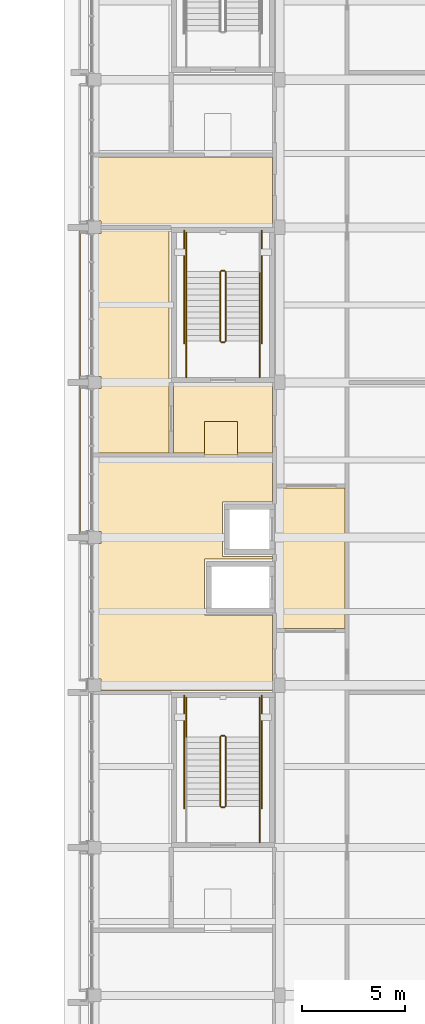
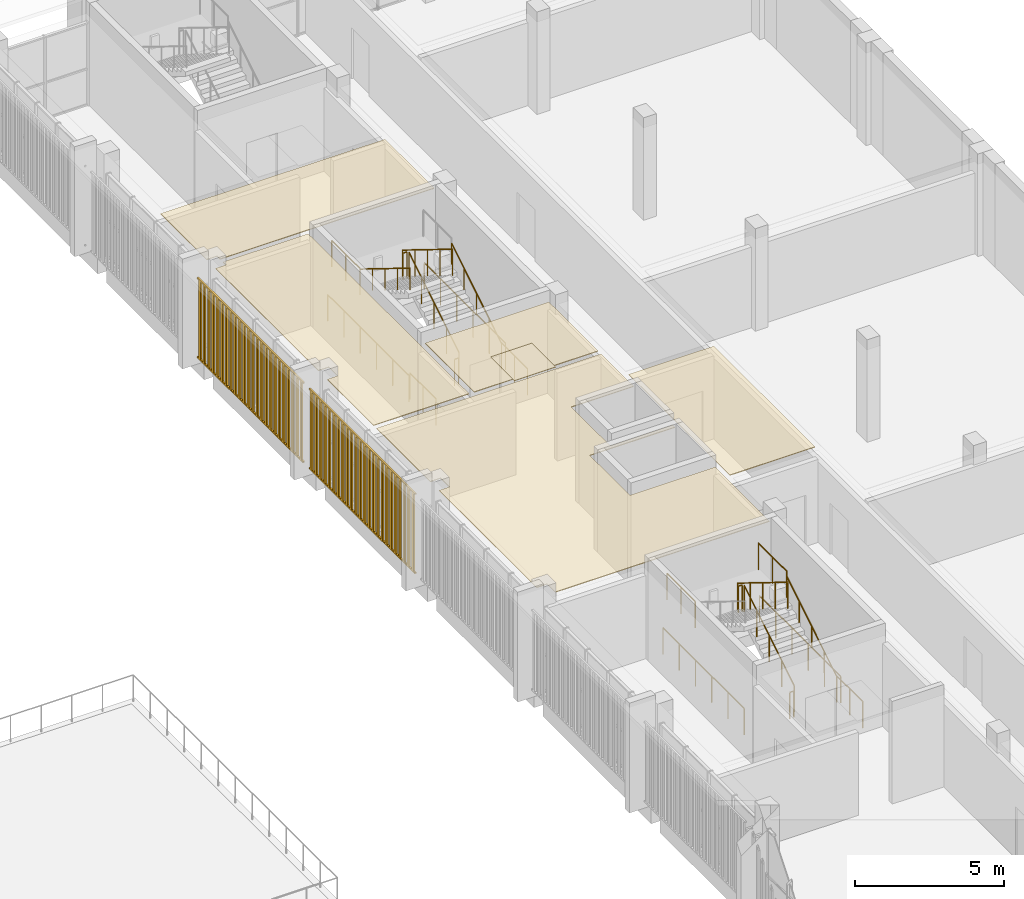
# One storey, part 93 of 98: 21 railings, 6 coverings, 2 shading devices.
"""IFC4 building model written with IfcOpenShell, lengths in metres."""

from ifc_helpers import new_model, si_unit, direction, frame, origin, origin_2d, place, context, subcontext, project, spatial, polyline, rectangle, circle, outline, extrude, material, layer, layer_set, type_object, element, save


model = new_model("IFC4")

# Units and contexts
model_context = context("Model", 3, precision=1e-05, world=origin(), true_north=direction((0.0, 1.0)))
body_context = subcontext(model_context, "Body", "Model", "MODEL_VIEW")
ifc_project = project(units=[si_unit("LENGTHUNIT", "METRE"), si_unit("AREAUNIT", "SQUARE_METRE"), si_unit("VOLUMEUNIT", "CUBIC_METRE"), si_unit("PLANEANGLEUNIT", "RADIAN"), si_unit("MASSUNIT", "GRAM", prefix="KILO")], contexts=[model_context])

# Site, building, storey
site_placement = place(None, origin())
site = spatial("IfcSite", under=ifc_project, at=site_placement, CompositionType="ELEMENT")
building_placement = place(site_placement, origin())
building = spatial("IfcBuilding", under=site, at=building_placement, Name="Sun Court Science Centre", CompositionType="ELEMENT")
storey_placement = place(building_placement, frame((0.0, 0.0, 15.75)))
storey = spatial("IfcBuildingStorey", under=building, at=storey_placement, Name="L03", CompositionType="ELEMENT", Elevation=15.75)

# Coverings
ifc_material_1 = material(Name="Gypsum board")
ifc_layer_1 = layer(ifc_material_1, 0.030029296875)
ifc_layer_set_1 = layer_set([ifc_layer_1], Name="Gypsum board")
covering_type = type_object("IfcCoveringType", Name="Ceiling suspended 600 module", PredefinedType="CEILING", material=ifc_layer_set_1)
covering_1_placement = place(storey_placement, frame((0.0, 0.0, 3.77001953125)))
element("IfcCovering", 1, at=covering_1_placement, inside=storey, type_object=covering_type, Name="L03-012 ceiling", PredefinedType="CEILING", context=body_context, shape_type="SweptSolid", body=[
    extrude(outline(polyline([(87.10009765625, 53.39990234375), (90.39990234375, 53.39990234375), (90.39990234375, 46.60009765625), (87.10009765625, 46.60009765625), (87.10009765625, 50.08740234375), (87.1025390625, 50.08740234375), (87.1025390625, 52.71240234375), (87.10009765625, 52.71240234375), (87.10009765625, 53.39990234375)])), origin(), (0.0, 0.0, 1.0), 0.030029296875),
])
covering_2_placement = place(storey_placement, frame((0.0, 0.0, 3.77001953125)))
element("IfcCovering", 2, at=covering_2_placement, inside=storey, type_object=covering_type, Name="L03-014 ceiling", PredefinedType="CEILING", context=body_context, shape_type="SweptSolid", body=[
    extrude(outline(polyline([(85.199951171875, 56.60009765625), (83.60009765625, 56.60009765625), (83.60009765625, 55.10009765625), (82.10009765625, 55.10009765625), (82.10009765625, 58.39990234375), (86.89990234375, 58.39990234375), (86.89990234375, 55.10009765625), (85.199951171875, 55.10009765625), (85.199951171875, 56.60009765625)])), origin(), (0.0, 0.0, 1.0), 0.030029296875),
])
covering_3_placement = place(storey_placement, frame((0.0, 0.0, 3.77001953125)))
element("IfcCovering", 3, at=covering_3_placement, inside=storey, type_object=covering_type, Name="L03-019 ceiling", PredefinedType="CEILING", context=body_context, shape_type="SweptSolid", body=[
    extrude(outline(polyline([(78.199951171875, 54.89990234375), (86.89990234375, 54.89990234375), (86.89990234375, 52.71240234375), (84.4775390625, 52.71240234375), (84.4775390625, 50.08740234375), (86.89990234375, 50.08740234375), (86.89990234375, 49.949951171875), (83.60009765625, 49.949951171875), (83.60009765625, 47.25), (86.89990234375, 47.25), (86.89990234375, 43.60009765625), (78.60009765625, 43.60009765625), (78.60009765625, 44.14990234375), (78.199951171875, 44.14990234375), (78.199951171875, 50.699951171875), (78.60009765625, 50.699951171875), (78.60009765625, 51.300048828125), (78.199951171875, 51.300048828125), (78.199951171875, 54.89990234375)])), origin(), (0.0, 0.0, 1.0), 0.030029296875),
])
covering_4_placement = place(storey_placement, frame((0.0, 0.0, 3.77001953125)))
element("IfcCovering", 4, at=covering_4_placement, inside=storey, type_object=covering_type, Name="L03-020 ceiling", PredefinedType="CEILING", context=body_context, shape_type="SweptSolid", body=[
    extrude(outline(polyline([(78.60009765625, 65.89990234375), (81.89990234375, 65.89990234375), (81.89990234375, 55.10009765625), (78.199951171875, 55.10009765625), (78.199951171875, 58.199951171875), (78.60009765625, 58.199951171875), (78.60009765625, 58.800048828125), (78.199951171875, 58.800048828125), (78.199951171875, 65.699951171875), (78.60009765625, 65.699951171875), (78.60009765625, 65.89990234375)])), origin(), (0.0, 0.0, 1.0), 0.030029296875),
])
covering_5_placement = place(storey_placement, frame((0.0, 0.0, 3.77001953125)))
element("IfcCovering", 5, at=covering_5_placement, inside=storey, type_object=covering_type, Name="L03-021 ceiling", PredefinedType="CEILING", context=body_context, shape_type="SweptSolid", body=[
    extrude(outline(polyline([(78.199951171875, 69.39990234375), (86.89990234375, 69.39990234375), (86.89990234375, 66.10009765625), (78.60009765625, 66.10009765625), (78.60009765625, 66.300048828125), (78.199951171875, 66.300048828125), (78.199951171875, 69.39990234375)])), origin(), (0.0, 0.0, 1.0), 0.030029296875),
])
covering_6_placement = place(storey_placement, frame((0.0, 0.0, 3.77001953125)))
element("IfcCovering", 6, at=covering_6_placement, inside=storey, type_object=covering_type, Name="L03-030 ceiling", PredefinedType="CEILING", context=body_context, shape_type="SweptSolid", body=[
    extrude(outline(polyline([(85.199951171875, 56.60009765625), (85.199951171875, 55.0), (83.60009765625, 55.0), (83.60009765625, 56.60009765625), (85.199951171875, 56.60009765625)])), origin(), (0.0, 0.0, 1.0), 0.030029296875),
])

# Railings
ifc_material_2 = material(Name="Steel S275", Category="steel")
railing_type_1 = type_object("IfcRailingType", Name="Guard 1100 steel balustrade", PredefinedType="GUARDRAIL", material=ifc_material_2)
railing_1_placement = place(storey_placement, frame((84.625, 37.998046875, 0.173095703125)))
element("IfcRailing", 7, at=railing_1_placement, inside=storey, type_object=railing_type_1, Name="L03 SL2 stair guard 1", PredefinedType="GUARDRAIL", context=body_context, shape_type="SweptSolid", body=[
    extrude(circle(Radius=0.02392578125, at=origin_2d()), frame((0.0, 0.0, 1.076171875), z_axis=(0.0, 0.850606129759, 0.525803396734), x_axis=(-1.0, 0.0, 0.0)), (0.0, 0.0, 1.0), 3.949951171875),
    extrude(circle(Radius=0.02099609375, at=origin_2d()), origin(), (0.0, 0.0, 1.0), 1.052001953125),
    extrude(circle(Radius=0.02099609375, at=origin_2d()), frame((0.0, 0.83984375, 0.519287109375)), (0.0, 0.0, 1.0), 1.052001953125),
    extrude(circle(Radius=0.02099609375, at=origin_2d()), frame((0.0, 1.679931640625, 1.03857421875)), (0.0, 0.0, 1.0), 1.052001953125),
    extrude(circle(Radius=0.02099609375, at=origin_2d()), frame((0.0, 2.52001953125, 1.5576171875)), (0.0, 0.0, 1.0), 1.052001953125),
    extrude(circle(Radius=0.02099609375, at=origin_2d()), frame((0.0, 3.35986328125, 2.076904296875)), (0.0, 0.0, 1.0), 1.052001953125),
])
railing_2_placement = place(storey_placement, frame((84.574951171875, 41.407958984375, 2.25)))
element("IfcRailing", 8, at=railing_2_placement, inside=storey, type_object=railing_type_1, Name="L03 SL2 stair guard 2", PredefinedType="GUARDRAIL", context=body_context, shape_type="SweptSolid", body=[
    extrude(circle(Radius=0.02392578125, at=origin_2d()), frame((0.0, 0.0, 1.076171875), z_axis=(-1.0, 0.0, 0.0), x_axis=(0.0, -1.0, 0.0)), (0.0, 0.0, 1.0), 0.14990234375),
    extrude(circle(Radius=0.02099609375, at=origin_2d()), origin(), (0.0, 0.0, 1.0), 1.052001953125),
    extrude(circle(Radius=0.02099609375, at=origin_2d()), frame((-0.14990234375, 0.0, 0.0)), (0.0, 0.0, 1.0), 1.052001953125),
])
for number, where, name in (
    (9, (86.27294921875, 41.35791015625, 2.25), "L03 SL2 stair guard 3"),
    (10, (82.72705078125, 41.35791015625, 2.25), "L03 SL2 stair guard 4"),
):
    element("IfcRailing", number, at=place(storey_placement, frame(where)), inside=storey, type_object=railing_type_1, Name=name, PredefinedType="GUARDRAIL", context=body_context, shape_type="SweptSolid", body=[
        extrude(circle(Radius=0.02392578125, at=origin_2d()), frame((0.0, 0.0, 1.076171875), z_axis=(0.0, 1.0, 0.0), x_axis=(-1.0, 0.0, 0.0)), (0.0, 0.0, 1.0), 1.89208984375),
        extrude(circle(Radius=0.02099609375, at=origin_2d()), origin(), (0.0, 0.0, 1.0), 1.052001953125),
        extrude(circle(Radius=0.02099609375, at=origin_2d()), frame((0.0, 0.946044921875, 0.0)), (0.0, 0.0, 1.0), 1.052001953125),
        extrude(circle(Radius=0.02099609375, at=origin_2d()), frame((0.0, 1.89208984375, 0.0)), (0.0, 0.0, 1.0), 1.052001953125),
    ])
railing_3_placement = place(storey_placement, frame((84.375, 41.35791015625, 2.423095703125)))
element("IfcRailing", 11, at=railing_3_placement, inside=storey, type_object=railing_type_1, Name="L03 SL2 stair guard 5", PredefinedType="GUARDRAIL", context=body_context, shape_type="SweptSolid", body=[
    extrude(circle(Radius=0.02392578125, at=origin_2d()), frame((0.0, 0.0, 1.076171875), z_axis=(0.0, -0.850606129759, 0.525803396734), x_axis=(1.0, 0.0, 0.0)), (0.0, 0.0, 1.0), 3.949951171875),
    extrude(circle(Radius=0.02099609375, at=origin_2d()), origin(), (0.0, 0.0, 1.0), 1.052001953125),
    extrude(circle(Radius=0.02099609375, at=origin_2d()), frame((0.0, -0.83984375, 0.519287109375)), (0.0, 0.0, 1.0), 1.052001953125),
    extrude(circle(Radius=0.02099609375, at=origin_2d()), frame((0.0, -1.679931640625, 1.03857421875)), (0.0, 0.0, 1.0), 1.052001953125),
    extrude(circle(Radius=0.02099609375, at=origin_2d()), frame((0.0, -2.52001953125, 1.5576171875)), (0.0, 0.0, 1.0), 1.052001953125),
    extrude(circle(Radius=0.02099609375, at=origin_2d()), frame((0.0, -3.35986328125, 2.076904296875)), (0.0, 0.0, 1.0), 1.052001953125),
])
railing_4_placement = place(storey_placement, frame((84.574951171875, 37.947998046875, 0.0)))
element("IfcRailing", 12, at=railing_4_placement, inside=storey, type_object=railing_type_1, Name="L03 SL2 stair guard 6", PredefinedType="GUARDRAIL", context=body_context, shape_type="SweptSolid", body=[
    extrude(circle(Radius=0.02392578125, at=origin_2d()), frame((0.0, 0.0, 1.076171875), z_axis=(-1.0, 0.0, 0.0), x_axis=(0.0, -1.0, 0.0)), (0.0, 0.0, 1.0), 0.14990234375),
    extrude(circle(Radius=0.02099609375, at=origin_2d()), origin(), (0.0, 0.0, 1.0), 1.052001953125),
    extrude(circle(Radius=0.02099609375, at=origin_2d()), frame((-0.14990234375, 0.0, 0.0)), (0.0, 0.0, 1.0), 1.052001953125),
])
railing_5_placement = place(storey_placement, frame((86.27294921875, 36.25, 0.0)))
element("IfcRailing", 13, at=railing_5_placement, inside=storey, type_object=railing_type_1, Name="L03 SL2 stair guard 7", PredefinedType="GUARDRAIL", context=body_context, shape_type="SweptSolid", body=[
    extrude(circle(Radius=0.02392578125, at=origin_2d()), frame((0.0, 0.0, 1.076171875), z_axis=(0.0, 1.0, 0.0), x_axis=(-1.0, 0.0, 0.0)), (0.0, 0.0, 1.0), 1.748046875),
    extrude(circle(Radius=0.02099609375, at=origin_2d()), origin(), (0.0, 0.0, 1.0), 1.052001953125),
    extrude(circle(Radius=0.02099609375, at=origin_2d()), frame((0.0, 0.8740234375, 0.0)), (0.0, 0.0, 1.0), 1.052001953125),
    extrude(circle(Radius=0.02099609375, at=origin_2d()), frame((0.0, 1.748046875, 0.0)), (0.0, 0.0, 1.0), 1.052001953125),
])
for number, where, name in (
    (14, (86.373046875, 37.89794921875, 0.0), "L03 SL2 stair guard 9"),
    (15, (82.626953125, 37.89794921875, 0.0), "L03 SL2 stair guard 10"),
):
    element("IfcRailing", number, at=place(storey_placement, frame(where)), inside=storey, type_object=railing_type_1, Name=name, PredefinedType="GUARDRAIL", context=body_context, shape_type="SweptSolid", body=[
        extrude(circle(Radius=0.02392578125, at=origin_2d()), frame((0.0, 0.0, 1.076171875), z_axis=(0.0, 1.0, 0.0), x_axis=(-1.0, 0.0, 0.0)), (0.0, 0.0, 1.0), 5.4521484375),
        extrude(circle(Radius=0.02099609375, at=origin_2d()), origin(), (0.0, 0.0, 1.0), 1.052001953125),
        extrude(circle(Radius=0.02099609375, at=origin_2d()), frame((0.0, 1.09033203125, 0.0)), (0.0, 0.0, 1.0), 1.052001953125),
        extrude(circle(Radius=0.02099609375, at=origin_2d()), frame((0.0, 2.180908203125, 0.0)), (0.0, 0.0, 1.0), 1.052001953125),
        extrude(circle(Radius=0.02099609375, at=origin_2d()), frame((0.0, 3.271240234375, 0.0)), (0.0, 0.0, 1.0), 1.052001953125),
        extrude(circle(Radius=0.02099609375, at=origin_2d()), frame((0.0, 4.36181640625, 0.0)), (0.0, 0.0, 1.0), 1.052001953125),
        extrude(circle(Radius=0.02099609375, at=origin_2d()), frame((0.0, 5.4521484375, 0.0)), (0.0, 0.0, 1.0), 1.052001953125),
    ])
railing_6_placement = place(storey_placement, frame((84.625, 60.498046875, 0.173095703125)))
element("IfcRailing", 16, at=railing_6_placement, inside=storey, type_object=railing_type_1, Name="L03 SL3 stair guard 1", PredefinedType="GUARDRAIL", context=body_context, shape_type="SweptSolid", body=[
    extrude(circle(Radius=0.02392578125, at=origin_2d()), frame((0.0, 0.0, 1.076171875), z_axis=(0.0, 0.850606129759, 0.525803396734), x_axis=(-1.0, 0.0, 0.0)), (0.0, 0.0, 1.0), 3.949951171875),
    extrude(circle(Radius=0.02099609375, at=origin_2d()), origin(), (0.0, 0.0, 1.0), 1.052001953125),
    extrude(circle(Radius=0.02099609375, at=origin_2d()), frame((0.0, 0.83984375, 0.519287109375)), (0.0, 0.0, 1.0), 1.052001953125),
    extrude(circle(Radius=0.02099609375, at=origin_2d()), frame((0.0, 1.679931640625, 1.03857421875)), (0.0, 0.0, 1.0), 1.052001953125),
    extrude(circle(Radius=0.02099609375, at=origin_2d()), frame((0.0, 2.52001953125, 1.5576171875)), (0.0, 0.0, 1.0), 1.052001953125),
    extrude(circle(Radius=0.02099609375, at=origin_2d()), frame((0.0, 3.35986328125, 2.076904296875)), (0.0, 0.0, 1.0), 1.052001953125),
])
railing_7_placement = place(storey_placement, frame((84.574951171875, 63.907958984375, 2.25)))
element("IfcRailing", 17, at=railing_7_placement, inside=storey, type_object=railing_type_1, Name="L03 SL3 stair guard 2", PredefinedType="GUARDRAIL", context=body_context, shape_type="SweptSolid", body=[
    extrude(circle(Radius=0.02392578125, at=origin_2d()), frame((0.0, 0.0, 1.076171875), z_axis=(-1.0, 0.0, 0.0), x_axis=(0.0, -1.0, 0.0)), (0.0, 0.0, 1.0), 0.14990234375),
    extrude(circle(Radius=0.02099609375, at=origin_2d()), origin(), (0.0, 0.0, 1.0), 1.052001953125),
    extrude(circle(Radius=0.02099609375, at=origin_2d()), frame((-0.14990234375, 0.0, 0.0)), (0.0, 0.0, 1.0), 1.052001953125),
])
railing_8_placement = place(storey_placement, frame((82.72705078125, 63.85791015625, 2.25)))
element("IfcRailing", 18, at=railing_8_placement, inside=storey, type_object=railing_type_1, Name="L03 SL3 stair guard 4", PredefinedType="GUARDRAIL", context=body_context, shape_type="SweptSolid", body=[
    extrude(circle(Radius=0.02392578125, at=origin_2d()), frame((0.0, 0.0, 1.076171875), z_axis=(0.0, 1.0, 0.0), x_axis=(-1.0, 0.0, 0.0)), (0.0, 0.0, 1.0), 1.89208984375),
    extrude(circle(Radius=0.02099609375, at=origin_2d()), origin(), (0.0, 0.0, 1.0), 1.052001953125),
    extrude(circle(Radius=0.02099609375, at=origin_2d()), frame((0.0, 0.946044921875, 0.0)), (0.0, 0.0, 1.0), 1.052001953125),
    extrude(circle(Radius=0.02099609375, at=origin_2d()), frame((0.0, 1.89208984375, 0.0)), (0.0, 0.0, 1.0), 1.052001953125),
])
railing_9_placement = place(storey_placement, frame((84.375, 63.85791015625, 2.423095703125)))
element("IfcRailing", 19, at=railing_9_placement, inside=storey, type_object=railing_type_1, Name="L03 SL3 stair guard 5", PredefinedType="GUARDRAIL", context=body_context, shape_type="SweptSolid", body=[
    extrude(circle(Radius=0.02392578125, at=origin_2d()), frame((0.0, 0.0, 1.076171875), z_axis=(0.0, -0.850606129759, 0.525803396734), x_axis=(1.0, 0.0, 0.0)), (0.0, 0.0, 1.0), 3.949951171875),
    extrude(circle(Radius=0.02099609375, at=origin_2d()), origin(), (0.0, 0.0, 1.0), 1.052001953125),
    extrude(circle(Radius=0.02099609375, at=origin_2d()), frame((0.0, -0.83984375, 0.519287109375)), (0.0, 0.0, 1.0), 1.052001953125),
    extrude(circle(Radius=0.02099609375, at=origin_2d()), frame((0.0, -1.679931640625, 1.03857421875)), (0.0, 0.0, 1.0), 1.052001953125),
    extrude(circle(Radius=0.02099609375, at=origin_2d()), frame((0.0, -2.52001953125, 1.5576171875)), (0.0, 0.0, 1.0), 1.052001953125),
    extrude(circle(Radius=0.02099609375, at=origin_2d()), frame((0.0, -3.35986328125, 2.076904296875)), (0.0, 0.0, 1.0), 1.052001953125),
])
railing_10_placement = place(storey_placement, frame((84.574951171875, 60.447998046875, 0.0)))
element("IfcRailing", 20, at=railing_10_placement, inside=storey, type_object=railing_type_1, Name="L03 SL3 stair guard 6", PredefinedType="GUARDRAIL", context=body_context, shape_type="SweptSolid", body=[
    extrude(circle(Radius=0.02392578125, at=origin_2d()), frame((0.0, 0.0, 1.076171875), z_axis=(-1.0, 0.0, 0.0), x_axis=(0.0, -1.0, 0.0)), (0.0, 0.0, 1.0), 0.14990234375),
    extrude(circle(Radius=0.02099609375, at=origin_2d()), origin(), (0.0, 0.0, 1.0), 1.052001953125),
    extrude(circle(Radius=0.02099609375, at=origin_2d()), frame((-0.14990234375, 0.0, 0.0)), (0.0, 0.0, 1.0), 1.052001953125),
])
for number, where, name in (
    (21, (86.27294921875, 58.75, 0.0), "L03 SL3 stair guard 7"),
    (22, (82.72705078125, 58.75, 0.0), "L03 SL3 stair guard 8"),
):
    element("IfcRailing", number, at=place(storey_placement, frame(where)), inside=storey, type_object=railing_type_1, Name=name, PredefinedType="GUARDRAIL", context=body_context, shape_type="SweptSolid", body=[
        extrude(circle(Radius=0.02392578125, at=origin_2d()), frame((0.0, 0.0, 1.076171875), z_axis=(0.0, 1.0, 0.0), x_axis=(-1.0, 0.0, 0.0)), (0.0, 0.0, 1.0), 1.748046875),
        extrude(circle(Radius=0.02099609375, at=origin_2d()), origin(), (0.0, 0.0, 1.0), 1.052001953125),
        extrude(circle(Radius=0.02099609375, at=origin_2d()), frame((0.0, 0.8740234375, 0.0)), (0.0, 0.0, 1.0), 1.052001953125),
        extrude(circle(Radius=0.02099609375, at=origin_2d()), frame((0.0, 1.748046875, 0.0)), (0.0, 0.0, 1.0), 1.052001953125),
    ])
for number, where, name in (
    (23, (86.373046875, 60.39794921875, 0.0), "L03 SL3 stair guard 9"),
    (24, (82.626953125, 60.39794921875, 0.0), "L03 SL3 stair guard 10"),
):
    element("IfcRailing", number, at=place(storey_placement, frame(where)), inside=storey, type_object=railing_type_1, Name=name, PredefinedType="GUARDRAIL", context=body_context, shape_type="SweptSolid", body=[
        extrude(circle(Radius=0.02392578125, at=origin_2d()), frame((0.0, 0.0, 1.076171875), z_axis=(0.0, 1.0, 0.0), x_axis=(-1.0, 0.0, 0.0)), (0.0, 0.0, 1.0), 5.4521484375),
        extrude(circle(Radius=0.02099609375, at=origin_2d()), origin(), (0.0, 0.0, 1.0), 1.052001953125),
        extrude(circle(Radius=0.02099609375, at=origin_2d()), frame((0.0, 1.09033203125, 0.0)), (0.0, 0.0, 1.0), 1.052001953125),
        extrude(circle(Radius=0.02099609375, at=origin_2d()), frame((0.0, 2.180908203125, 0.0)), (0.0, 0.0, 1.0), 1.052001953125),
        extrude(circle(Radius=0.02099609375, at=origin_2d()), frame((0.0, 3.271240234375, 0.0)), (0.0, 0.0, 1.0), 1.052001953125),
        extrude(circle(Radius=0.02099609375, at=origin_2d()), frame((0.0, 4.36181640625, 0.0)), (0.0, 0.0, 1.0), 1.052001953125),
        extrude(circle(Radius=0.02099609375, at=origin_2d()), frame((0.0, 5.4521484375, 0.0)), (0.0, 0.0, 1.0), 1.052001953125),
    ])
ifc_material_3 = material(Name="Stainless steel", Category="steel")
railing_type_2 = type_object("IfcRailingType", Name="Handrail 900 stainless", PredefinedType="HANDRAIL", material=ifc_material_3)
for number, where, name in (
    (25, (86.27294921875, 37.998046875, 0.173095703125), "L03 SL2 stair handrail 1"),
    (26, (86.27294921875, 60.498046875, 0.173095703125), "L03 SL3 stair handrail 1"),
):
    element("IfcRailing", number, at=place(storey_placement, frame(where)), inside=storey, type_object=railing_type_2, Name=name, PredefinedType="HANDRAIL", context=body_context, shape_type="SweptSolid", body=[
        extrude(circle(Radius=0.02392578125, at=origin_2d()), frame((0.0, 0.0, 0.8759765625), z_axis=(0.0, 0.850606129759, 0.525803396734), x_axis=(-1.0, 0.0, 0.0)), (0.0, 0.0, 1.0), 3.949951171875),
        extrude(circle(Radius=0.02099609375, at=origin_2d()), origin(), (0.0, 0.0, 1.0), 0.851806640625),
        extrude(circle(Radius=0.02099609375, at=origin_2d()), frame((0.0, 0.83984375, 0.519287109375)), (0.0, 0.0, 1.0), 0.851806640625),
        extrude(circle(Radius=0.02099609375, at=origin_2d()), frame((0.0, 1.679931640625, 1.03857421875)), (0.0, 0.0, 1.0), 0.851806640625),
        extrude(circle(Radius=0.02099609375, at=origin_2d()), frame((0.0, 2.52001953125, 1.5576171875)), (0.0, 0.0, 1.0), 0.851806640625),
        extrude(circle(Radius=0.02099609375, at=origin_2d()), frame((0.0, 3.35986328125, 2.076904296875)), (0.0, 0.0, 1.0), 0.851806640625),
    ])
railing_11_placement = place(storey_placement, frame((82.72705078125, 63.85791015625, 2.423095703125)))
element("IfcRailing", 27, at=railing_11_placement, inside=storey, type_object=railing_type_2, Name="L03 SL3 stair handrail 2", PredefinedType="HANDRAIL", context=body_context, shape_type="SweptSolid", body=[
    extrude(circle(Radius=0.02392578125, at=origin_2d()), frame((0.0, 0.0, 0.8759765625), z_axis=(0.0, -0.850606129759, 0.525803396734), x_axis=(1.0, 0.0, 0.0)), (0.0, 0.0, 1.0), 3.949951171875),
    extrude(circle(Radius=0.02099609375, at=origin_2d()), origin(), (0.0, 0.0, 1.0), 0.851806640625),
    extrude(circle(Radius=0.02099609375, at=origin_2d()), frame((0.0, -0.83984375, 0.519287109375)), (0.0, 0.0, 1.0), 0.851806640625),
    extrude(circle(Radius=0.02099609375, at=origin_2d()), frame((0.0, -1.679931640625, 1.03857421875)), (0.0, 0.0, 1.0), 0.851806640625),
    extrude(circle(Radius=0.02099609375, at=origin_2d()), frame((0.0, -2.52001953125, 1.5576171875)), (0.0, 0.0, 1.0), 0.851806640625),
    extrude(circle(Radius=0.02099609375, at=origin_2d()), frame((0.0, -3.35986328125, 2.076904296875)), (0.0, 0.0, 1.0), 0.851806640625),
])

# Shading devices
ifc_material_4 = material(Name="Red sandstone", Category="masonry")
ifc_layer_2 = layer(ifc_material_4, 0.06005859375)
ifc_layer_set_2 = layer_set([ifc_layer_2], Name="Red sandstone")
shading_device_type = type_object("IfcShadingDeviceType", Name="Jali screen, sandstone", PredefinedType="USERDEFINED", material=ifc_layer_set_2)
shading_device_1_placement = place(storey_placement, frame((0.0, 0.0, -15.75)))
element("IfcShadingDevice", 28, at=shading_device_1_placement, inside=storey, type_object=shading_device_type, Name="Jali screen west face L03 06", ObjectType="JALI SCREEN", PredefinedType="USERDEFINED", context=body_context, shape_type="SweptSolid", body=[
    extrude(rectangle(XDim=0.1201171875, YDim=0.06005859375, at=origin_2d()), frame((77.570068359375, 51.347900390625, 16.08984375), z_axis=(0.0, 0.0, 1.0), x_axis=(0.0, 1.0, 0.0)), (0.0, 0.0, 1.0), 3.219970703125),
    extrude(rectangle(XDim=0.1201171875, YDim=0.06005859375, at=origin_2d()), frame((77.570068359375, 51.643798828125, 16.08984375), z_axis=(0.0, 0.0, 1.0), x_axis=(0.0, 1.0, 0.0)), (0.0, 0.0, 1.0), 3.219970703125),
    extrude(rectangle(XDim=0.1201171875, YDim=0.06005859375, at=origin_2d()), frame((77.570068359375, 51.939697265625, 16.08984375), z_axis=(0.0, 0.0, 1.0), x_axis=(0.0, 1.0, 0.0)), (0.0, 0.0, 1.0), 3.219970703125),
    extrude(rectangle(XDim=0.1201171875, YDim=0.06005859375, at=origin_2d()), frame((77.570068359375, 52.2353515625, 16.08984375), z_axis=(0.0, 0.0, 1.0), x_axis=(0.0, 1.0, 0.0)), (0.0, 0.0, 1.0), 3.219970703125),
    extrude(rectangle(XDim=0.1201171875, YDim=0.06005859375, at=origin_2d()), frame((77.570068359375, 52.53125, 16.08984375), z_axis=(0.0, 0.0, 1.0), x_axis=(0.0, 1.0, 0.0)), (0.0, 0.0, 1.0), 3.219970703125),
    extrude(rectangle(XDim=0.1201171875, YDim=0.06005859375, at=origin_2d()), frame((77.570068359375, 52.8271484375, 16.08984375), z_axis=(0.0, 0.0, 1.0), x_axis=(0.0, 1.0, 0.0)), (0.0, 0.0, 1.0), 3.219970703125),
    extrude(rectangle(XDim=0.1201171875, YDim=0.06005859375, at=origin_2d()), frame((77.570068359375, 53.122802734375, 16.08984375), z_axis=(0.0, 0.0, 1.0), x_axis=(0.0, 1.0, 0.0)), (0.0, 0.0, 1.0), 3.219970703125),
    extrude(rectangle(XDim=0.1201171875, YDim=0.06005859375, at=origin_2d()), frame((77.570068359375, 53.418701171875, 16.08984375), z_axis=(0.0, 0.0, 1.0), x_axis=(0.0, 1.0, 0.0)), (0.0, 0.0, 1.0), 3.219970703125),
    extrude(rectangle(XDim=0.1201171875, YDim=0.06005859375, at=origin_2d()), frame((77.570068359375, 53.714599609375, 16.08984375), z_axis=(0.0, 0.0, 1.0), x_axis=(0.0, 1.0, 0.0)), (0.0, 0.0, 1.0), 3.219970703125),
    extrude(rectangle(XDim=0.1201171875, YDim=0.06005859375, at=origin_2d()), frame((77.570068359375, 54.010498046875, 16.08984375), z_axis=(0.0, 0.0, 1.0), x_axis=(0.0, 1.0, 0.0)), (0.0, 0.0, 1.0), 3.219970703125),
    extrude(rectangle(XDim=0.1201171875, YDim=0.06005859375, at=origin_2d()), frame((77.570068359375, 54.30615234375, 16.08984375), z_axis=(0.0, 0.0, 1.0), x_axis=(0.0, 1.0, 0.0)), (0.0, 0.0, 1.0), 3.219970703125),
    extrude(rectangle(XDim=0.1201171875, YDim=0.06005859375, at=origin_2d()), frame((77.570068359375, 54.60205078125, 16.08984375), z_axis=(0.0, 0.0, 1.0), x_axis=(0.0, 1.0, 0.0)), (0.0, 0.0, 1.0), 3.219970703125),
    extrude(rectangle(XDim=0.1201171875, YDim=0.06005859375, at=origin_2d()), frame((77.570068359375, 54.89794921875, 16.08984375), z_axis=(0.0, 0.0, 1.0), x_axis=(0.0, 1.0, 0.0)), (0.0, 0.0, 1.0), 3.219970703125),
    extrude(rectangle(XDim=0.1201171875, YDim=0.06005859375, at=origin_2d()), frame((77.570068359375, 55.19384765625, 16.08984375), z_axis=(0.0, 0.0, 1.0), x_axis=(0.0, 1.0, 0.0)), (0.0, 0.0, 1.0), 3.219970703125),
    extrude(rectangle(XDim=0.1201171875, YDim=0.06005859375, at=origin_2d()), frame((77.570068359375, 55.489501953125, 16.08984375), z_axis=(0.0, 0.0, 1.0), x_axis=(0.0, 1.0, 0.0)), (0.0, 0.0, 1.0), 3.219970703125),
    extrude(rectangle(XDim=0.1201171875, YDim=0.06005859375, at=origin_2d()), frame((77.570068359375, 55.785400390625, 16.08984375), z_axis=(0.0, 0.0, 1.0), x_axis=(0.0, 1.0, 0.0)), (0.0, 0.0, 1.0), 3.219970703125),
    extrude(rectangle(XDim=0.1201171875, YDim=0.06005859375, at=origin_2d()), frame((77.570068359375, 56.081298828125, 16.08984375), z_axis=(0.0, 0.0, 1.0), x_axis=(0.0, 1.0, 0.0)), (0.0, 0.0, 1.0), 3.219970703125),
    extrude(rectangle(XDim=0.1201171875, YDim=0.06005859375, at=origin_2d()), frame((77.570068359375, 56.377197265625, 16.08984375), z_axis=(0.0, 0.0, 1.0), x_axis=(0.0, 1.0, 0.0)), (0.0, 0.0, 1.0), 3.219970703125),
    extrude(rectangle(XDim=0.1201171875, YDim=0.06005859375, at=origin_2d()), frame((77.570068359375, 56.6728515625, 16.08984375), z_axis=(0.0, 0.0, 1.0), x_axis=(0.0, 1.0, 0.0)), (0.0, 0.0, 1.0), 3.219970703125),
    extrude(rectangle(XDim=0.1201171875, YDim=0.06005859375, at=origin_2d()), frame((77.570068359375, 56.96875, 16.08984375), z_axis=(0.0, 0.0, 1.0), x_axis=(0.0, 1.0, 0.0)), (0.0, 0.0, 1.0), 3.219970703125),
    extrude(rectangle(XDim=0.1201171875, YDim=0.06005859375, at=origin_2d()), frame((77.570068359375, 57.2646484375, 16.08984375), z_axis=(0.0, 0.0, 1.0), x_axis=(0.0, 1.0, 0.0)), (0.0, 0.0, 1.0), 3.219970703125),
    extrude(rectangle(XDim=0.1201171875, YDim=0.06005859375, at=origin_2d()), frame((77.570068359375, 57.560302734375, 16.08984375), z_axis=(0.0, 0.0, 1.0), x_axis=(0.0, 1.0, 0.0)), (0.0, 0.0, 1.0), 3.219970703125),
    extrude(rectangle(XDim=0.1201171875, YDim=0.06005859375, at=origin_2d()), frame((77.570068359375, 57.856201171875, 16.08984375), z_axis=(0.0, 0.0, 1.0), x_axis=(0.0, 1.0, 0.0)), (0.0, 0.0, 1.0), 3.219970703125),
    extrude(rectangle(XDim=0.1201171875, YDim=0.06005859375, at=origin_2d()), frame((77.570068359375, 58.152099609375, 16.08984375), z_axis=(0.0, 0.0, 1.0), x_axis=(0.0, 1.0, 0.0)), (0.0, 0.0, 1.0), 3.219970703125),
    extrude(rectangle(XDim=7.10009765625, YDim=0.06005859375, at=origin_2d()), frame((77.570068359375, 54.75, 16.050048828125), z_axis=(0.0, 0.0, 1.0), x_axis=(0.0, 1.0, 0.0)), (0.0, 0.0, 1.0), 0.06005859375),
    extrude(rectangle(XDim=7.10009765625, YDim=0.06005859375, at=origin_2d()), frame((77.570068359375, 54.75, 19.2900390625), z_axis=(0.0, 0.0, 1.0), x_axis=(0.0, 1.0, 0.0)), (0.0, 0.0, 1.0), 0.06005859375),
])
shading_device_2_placement = place(storey_placement, frame((0.0, 0.0, -15.75)))
element("IfcShadingDevice", 29, at=shading_device_2_placement, inside=storey, type_object=shading_device_type, Name="Jali screen west face L03 07", ObjectType="JALI SCREEN", PredefinedType="USERDEFINED", context=body_context, shape_type="SweptSolid", body=[
    extrude(rectangle(XDim=0.1201171875, YDim=0.06005859375, at=origin_2d()), frame((77.570068359375, 58.847900390625, 16.08984375), z_axis=(0.0, 0.0, 1.0), x_axis=(0.0, 1.0, 0.0)), (0.0, 0.0, 1.0), 3.219970703125),
    extrude(rectangle(XDim=0.1201171875, YDim=0.06005859375, at=origin_2d()), frame((77.570068359375, 59.143798828125, 16.08984375), z_axis=(0.0, 0.0, 1.0), x_axis=(0.0, 1.0, 0.0)), (0.0, 0.0, 1.0), 3.219970703125),
    extrude(rectangle(XDim=0.1201171875, YDim=0.06005859375, at=origin_2d()), frame((77.570068359375, 59.439697265625, 16.08984375), z_axis=(0.0, 0.0, 1.0), x_axis=(0.0, 1.0, 0.0)), (0.0, 0.0, 1.0), 3.219970703125),
    extrude(rectangle(XDim=0.1201171875, YDim=0.06005859375, at=origin_2d()), frame((77.570068359375, 59.7353515625, 16.08984375), z_axis=(0.0, 0.0, 1.0), x_axis=(0.0, 1.0, 0.0)), (0.0, 0.0, 1.0), 3.219970703125),
    extrude(rectangle(XDim=0.1201171875, YDim=0.06005859375, at=origin_2d()), frame((77.570068359375, 60.03125, 16.08984375), z_axis=(0.0, 0.0, 1.0), x_axis=(0.0, 1.0, 0.0)), (0.0, 0.0, 1.0), 3.219970703125),
    extrude(rectangle(XDim=0.1201171875, YDim=0.06005859375, at=origin_2d()), frame((77.570068359375, 60.3271484375, 16.08984375), z_axis=(0.0, 0.0, 1.0), x_axis=(0.0, 1.0, 0.0)), (0.0, 0.0, 1.0), 3.219970703125),
    extrude(rectangle(XDim=0.1201171875, YDim=0.06005859375, at=origin_2d()), frame((77.570068359375, 60.622802734375, 16.08984375), z_axis=(0.0, 0.0, 1.0), x_axis=(0.0, 1.0, 0.0)), (0.0, 0.0, 1.0), 3.219970703125),
    extrude(rectangle(XDim=0.1201171875, YDim=0.06005859375, at=origin_2d()), frame((77.570068359375, 60.918701171875, 16.08984375), z_axis=(0.0, 0.0, 1.0), x_axis=(0.0, 1.0, 0.0)), (0.0, 0.0, 1.0), 3.219970703125),
    extrude(rectangle(XDim=0.1201171875, YDim=0.06005859375, at=origin_2d()), frame((77.570068359375, 61.214599609375, 16.08984375), z_axis=(0.0, 0.0, 1.0), x_axis=(0.0, 1.0, 0.0)), (0.0, 0.0, 1.0), 3.219970703125),
    extrude(rectangle(XDim=0.1201171875, YDim=0.06005859375, at=origin_2d()), frame((77.570068359375, 61.510498046875, 16.08984375), z_axis=(0.0, 0.0, 1.0), x_axis=(0.0, 1.0, 0.0)), (0.0, 0.0, 1.0), 3.219970703125),
    extrude(rectangle(XDim=0.1201171875, YDim=0.06005859375, at=origin_2d()), frame((77.570068359375, 61.80615234375, 16.08984375), z_axis=(0.0, 0.0, 1.0), x_axis=(0.0, 1.0, 0.0)), (0.0, 0.0, 1.0), 3.219970703125),
    extrude(rectangle(XDim=0.1201171875, YDim=0.06005859375, at=origin_2d()), frame((77.570068359375, 62.10205078125, 16.08984375), z_axis=(0.0, 0.0, 1.0), x_axis=(0.0, 1.0, 0.0)), (0.0, 0.0, 1.0), 3.219970703125),
    extrude(rectangle(XDim=0.1201171875, YDim=0.06005859375, at=origin_2d()), frame((77.570068359375, 62.39794921875, 16.08984375), z_axis=(0.0, 0.0, 1.0), x_axis=(0.0, 1.0, 0.0)), (0.0, 0.0, 1.0), 3.219970703125),
    extrude(rectangle(XDim=0.1201171875, YDim=0.06005859375, at=origin_2d()), frame((77.570068359375, 62.69384765625, 16.08984375), z_axis=(0.0, 0.0, 1.0), x_axis=(0.0, 1.0, 0.0)), (0.0, 0.0, 1.0), 3.219970703125),
    extrude(rectangle(XDim=0.1201171875, YDim=0.06005859375, at=origin_2d()), frame((77.570068359375, 62.989501953125, 16.08984375), z_axis=(0.0, 0.0, 1.0), x_axis=(0.0, 1.0, 0.0)), (0.0, 0.0, 1.0), 3.219970703125),
    extrude(rectangle(XDim=0.1201171875, YDim=0.06005859375, at=origin_2d()), frame((77.570068359375, 63.285400390625, 16.08984375), z_axis=(0.0, 0.0, 1.0), x_axis=(0.0, 1.0, 0.0)), (0.0, 0.0, 1.0), 3.219970703125),
    extrude(rectangle(XDim=0.1201171875, YDim=0.06005859375, at=origin_2d()), frame((77.570068359375, 63.581298828125, 16.08984375), z_axis=(0.0, 0.0, 1.0), x_axis=(0.0, 1.0, 0.0)), (0.0, 0.0, 1.0), 3.219970703125),
    extrude(rectangle(XDim=0.1201171875, YDim=0.06005859375, at=origin_2d()), frame((77.570068359375, 63.877197265625, 16.08984375), z_axis=(0.0, 0.0, 1.0), x_axis=(0.0, 1.0, 0.0)), (0.0, 0.0, 1.0), 3.219970703125),
    extrude(rectangle(XDim=0.1201171875, YDim=0.06005859375, at=origin_2d()), frame((77.570068359375, 64.1728515625, 16.08984375), z_axis=(0.0, 0.0, 1.0), x_axis=(0.0, 1.0, 0.0)), (0.0, 0.0, 1.0), 3.219970703125),
    extrude(rectangle(XDim=0.1201171875, YDim=0.06005859375, at=origin_2d()), frame((77.570068359375, 64.46875, 16.08984375), z_axis=(0.0, 0.0, 1.0), x_axis=(0.0, 1.0, 0.0)), (0.0, 0.0, 1.0), 3.219970703125),
    extrude(rectangle(XDim=0.1201171875, YDim=0.06005859375, at=origin_2d()), frame((77.570068359375, 64.7646484375, 16.08984375), z_axis=(0.0, 0.0, 1.0), x_axis=(0.0, 1.0, 0.0)), (0.0, 0.0, 1.0), 3.219970703125),
    extrude(rectangle(XDim=0.1201171875, YDim=0.06005859375, at=origin_2d()), frame((77.570068359375, 65.060302734375, 16.08984375), z_axis=(0.0, 0.0, 1.0), x_axis=(0.0, 1.0, 0.0)), (0.0, 0.0, 1.0), 3.219970703125),
    extrude(rectangle(XDim=0.1201171875, YDim=0.06005859375, at=origin_2d()), frame((77.570068359375, 65.356201171875, 16.08984375), z_axis=(0.0, 0.0, 1.0), x_axis=(0.0, 1.0, 0.0)), (0.0, 0.0, 1.0), 3.219970703125),
    extrude(rectangle(XDim=0.1201171875, YDim=0.06005859375, at=origin_2d()), frame((77.570068359375, 65.652099609375, 16.08984375), z_axis=(0.0, 0.0, 1.0), x_axis=(0.0, 1.0, 0.0)), (0.0, 0.0, 1.0), 3.219970703125),
    extrude(rectangle(XDim=7.10009765625, YDim=0.06005859375, at=origin_2d()), frame((77.570068359375, 62.25, 16.050048828125), z_axis=(0.0, 0.0, 1.0), x_axis=(0.0, 1.0, 0.0)), (0.0, 0.0, 1.0), 0.06005859375),
    extrude(rectangle(XDim=7.10009765625, YDim=0.06005859375, at=origin_2d()), frame((77.570068359375, 62.25, 19.2900390625), z_axis=(0.0, 0.0, 1.0), x_axis=(0.0, 1.0, 0.0)), (0.0, 0.0, 1.0), 0.06005859375),
])

save(model, "model.ifc")
